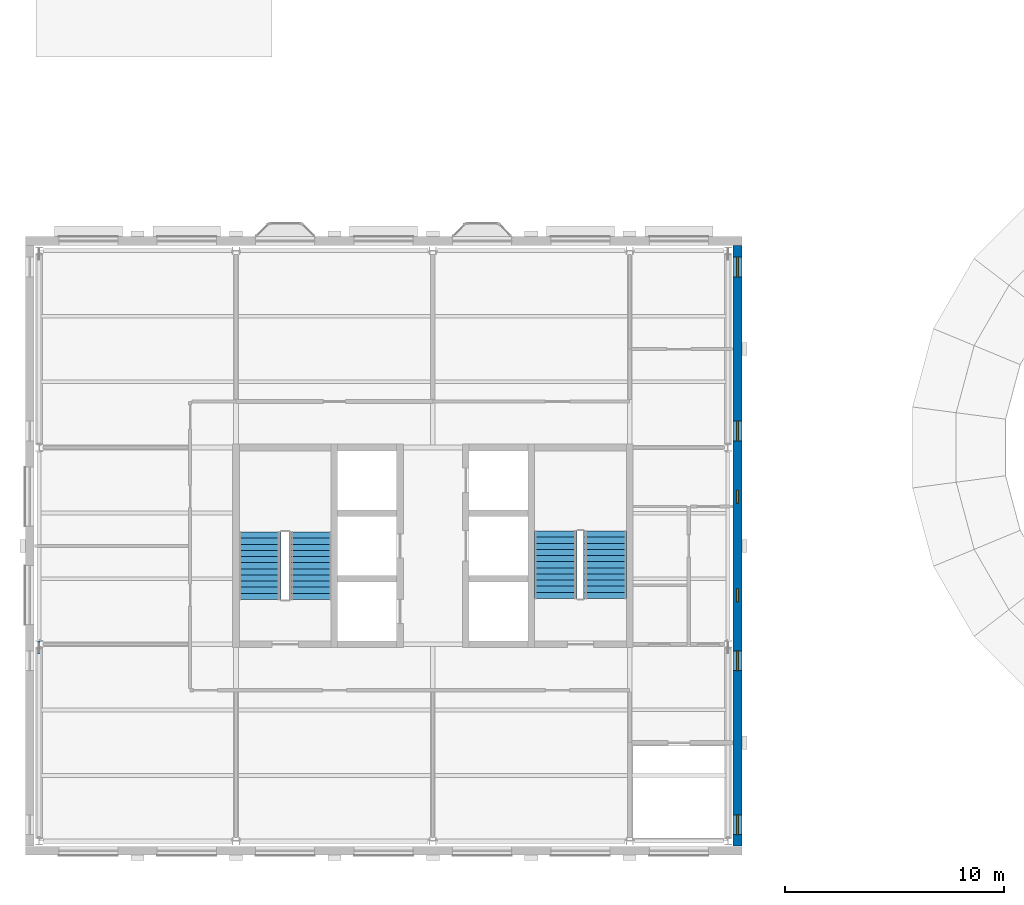
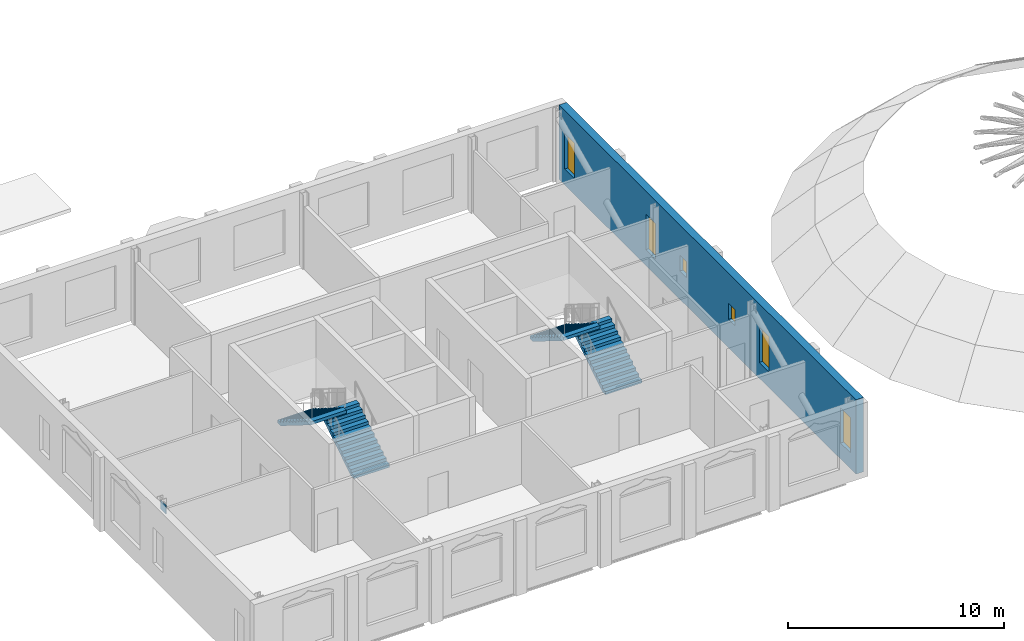
# One storey, part 10 of 15: 6 windows, 4 stair flights, 1 discrete accessory, 1 wall, 6 openings, 2 elements without a shape of their own.
"""IFC4 building model written with IfcOpenShell, lengths in metres."""

from ifc_helpers import new_model, si_unit, direction, frame, frame_2d, origin, origin_2d, place, context, subcontext, project, spatial, polyline, rectangle, outline, extrude, material, layer, layer_set, type_object, element, fill, aggregate, save


model = new_model("IFC4")

# Units and contexts
model_context = context("Model", 3, precision=1e-05, world=origin(), true_north=direction((0.0, 1.0)))
body_context = subcontext(model_context, "Body", "Model", "MODEL_VIEW")
ifc_project = project(units=[si_unit("LENGTHUNIT", "METRE"), si_unit("AREAUNIT", "SQUARE_METRE"), si_unit("VOLUMEUNIT", "CUBIC_METRE"), si_unit("PLANEANGLEUNIT", "RADIAN"), si_unit("MASSUNIT", "GRAM", prefix="KILO")], contexts=[model_context])

# Site, building, storey
site_placement = place(None, origin())
site = spatial("IfcSite", under=ifc_project, at=site_placement, CompositionType="ELEMENT")
building_placement = place(site_placement, origin())
building = spatial("IfcBuilding", under=site, at=building_placement, Name="Hortulan Conservatory and Botanical Research Centre", CompositionType="ELEMENT")
storey_placement = place(building_placement, frame((0.0, 0.0, 23.39990234375)))
storey = spatial("IfcBuildingStorey", under=building, at=storey_placement, Name="L05", CompositionType="ELEMENT", Elevation=23.39990234375)

# Wall, openings, windows
ifc_material_1 = material(Name="Faience-faced brickwork masonry", Category="masonry")
ifc_layer_1 = layer(ifc_material_1, 0.39990234375)
ifc_layer_set_1 = layer_set([ifc_layer_1], Name="Faience-faced Masonry Cavity Wall 400")
wall_type = type_object("IfcWallType", Name="Faience-faced Masonry Cavity Wall 400", PredefinedType="STANDARD", material=ifc_layer_set_1)
wall_placement = place(storey_placement, frame((31.925048828125, 27.22509765625, 0.0), z_axis=(0.0, 0.0, 1.0), x_axis=(0.0, -1.0, 0.0)))
wall = element("IfcWall", 1, at=wall_placement, inside=storey, type_object=wall_type, Name="E-EW-TW-L05-E4", PredefinedType="STANDARD", context=body_context, shape_type="SweptSolid", body=[
    extrude(rectangle(XDim=27.4501953125, YDim=0.39990234375, at=frame_2d((13.72509765625, 0.0))), origin(), (0.0, 0.0, 1.0), 4.2001953125),
])
opening_1_placement = place(wall_placement, frame((26.02490234375, 0.0, 0.89990234375)))
opening_1 = element("IfcOpeningElement", 2, at=opening_1_placement, cuts=wall, Name="Opening W5", PredefinedType="OPENING", context=body_context, shape_type="SweptSolid", body=[
    extrude(rectangle(XDim=0.89990234375, YDim=2.0, at=frame_2d((0.449951171875, 1.0))), frame((0.0, 0.2099609375, 0.0), z_axis=(0.0, -1.0, 0.0), x_axis=(1.0, 0.0, 0.0)), (0.0, 0.0, 1.0), 0.419921875),
])
opening_2_placement = place(wall_placement, frame((18.52490234375, 0.0, 0.89990234375)))
opening_2 = element("IfcOpeningElement", 3, at=opening_2_placement, cuts=wall, Name="Opening W5", PredefinedType="OPENING", context=body_context, shape_type="SweptSolid", body=[
    extrude(rectangle(XDim=0.89990234375, YDim=2.0, at=frame_2d((0.449951171875, 1.0))), frame((0.0, 0.2099609375, 0.0), z_axis=(0.0, -1.0, 0.0), x_axis=(1.0, 0.0, 0.0)), (0.0, 0.0, 1.0), 0.419921875),
])
opening_3_placement = place(wall_placement, frame((15.675048828125, 0.0, 1.60009765625)))
opening_3 = element("IfcOpeningElement", 4, at=opening_3_placement, cuts=wall, Name="Opening W3", PredefinedType="OPENING", context=body_context, shape_type="SweptSolid", body=[
    extrude(rectangle(XDim=0.60009765625, YDim=0.89990234375, at=frame_2d((0.300048828125, 0.449951171875))), frame((0.0, 0.2099609375, 0.0), z_axis=(0.0, -1.0, 0.0), x_axis=(1.0, 0.0, 0.0)), (0.0, 0.0, 1.0), 0.419921875),
])
opening_4_placement = place(wall_placement, frame((11.175048828125, 0.0, 1.60009765625)))
opening_4 = element("IfcOpeningElement", 5, at=opening_4_placement, cuts=wall, Name="Opening W3", PredefinedType="OPENING", context=body_context, shape_type="SweptSolid", body=[
    extrude(rectangle(XDim=0.60009765625, YDim=0.89990234375, at=frame_2d((0.300048828125, 0.449951171875))), frame((0.0, 0.2099609375, 0.0), z_axis=(0.0, -1.0, 0.0), x_axis=(1.0, 0.0, 0.0)), (0.0, 0.0, 1.0), 0.419921875),
])
opening_5_placement = place(wall_placement, frame((8.02490234375, 0.0, 0.89990234375)))
opening_5 = element("IfcOpeningElement", 6, at=opening_5_placement, cuts=wall, Name="Opening W5", PredefinedType="OPENING", context=body_context, shape_type="SweptSolid", body=[
    extrude(rectangle(XDim=0.89990234375, YDim=2.0, at=frame_2d((0.449951171875, 1.0))), frame((0.0, 0.2099609375, 0.0), z_axis=(0.0, -1.0, 0.0), x_axis=(1.0, 0.0, 0.0)), (0.0, 0.0, 1.0), 0.419921875),
])
opening_6_placement = place(wall_placement, frame((0.52490234375, 0.0, 0.89990234375)))
opening_6 = element("IfcOpeningElement", 7, at=opening_6_placement, cuts=wall, Name="Opening W5", PredefinedType="OPENING", context=body_context, shape_type="SweptSolid", body=[
    extrude(rectangle(XDim=0.89990234375, YDim=2.0, at=frame_2d((0.449951171875, 1.0))), frame((0.0, 0.2099609375, 0.0), z_axis=(0.0, -1.0, 0.0), x_axis=(1.0, 0.0, 0.0)), (0.0, 0.0, 1.0), 0.419921875),
])
ifc_material_2 = material(Name="Bronze-finished aluminium frame with low-e laminated double glazing", Category="aluminium")
window_type_1 = type_object("IfcWindowType", Name="Faience Pier Window 900x2000", PartitioningType="SINGLE_PANEL", PredefinedType="WINDOW", material=ifc_material_2)
window_1_placement = place(opening_1_placement, origin())
window_1 = element("IfcWindow", 8, at=window_1_placement, inside=storey, type_object=window_type_1, Name="Faience Pier window", OverallHeight=2.0, OverallWidth=0.89990234375, PartitioningType="SINGLE_PANEL", PredefinedType="WINDOW", context=body_context, shape_type="SweptSolid", body=[
    extrude(rectangle(XDim=0.89990234375, YDim=2.0, at=frame_2d((0.449951171875, 1.0))), frame((0.0, 0.030029296875, 0.0), z_axis=(0.0, -1.0, 0.0), x_axis=(1.0, 0.0, 0.0)), (0.0, 0.0, 1.0), 0.06005859375),
])
fill(opening_1, window_1)
window_2_placement = place(opening_2_placement, origin())
window_2 = element("IfcWindow", 9, at=window_2_placement, inside=storey, type_object=window_type_1, Name="Faience Pier window", OverallHeight=2.0, OverallWidth=0.89990234375, PartitioningType="SINGLE_PANEL", PredefinedType="WINDOW", context=body_context, shape_type="SweptSolid", body=[
    extrude(rectangle(XDim=0.89990234375, YDim=2.0, at=frame_2d((0.449951171875, 1.0))), frame((0.0, 0.030029296875, 0.0), z_axis=(0.0, -1.0, 0.0), x_axis=(1.0, 0.0, 0.0)), (0.0, 0.0, 1.0), 0.06005859375),
])
fill(opening_2, window_2)
window_3_placement = place(opening_5_placement, origin())
window_3 = element("IfcWindow", 10, at=window_3_placement, inside=storey, type_object=window_type_1, Name="Faience Pier window", OverallHeight=2.0, OverallWidth=0.89990234375, PartitioningType="SINGLE_PANEL", PredefinedType="WINDOW", context=body_context, shape_type="SweptSolid", body=[
    extrude(rectangle(XDim=0.89990234375, YDim=2.0, at=frame_2d((0.449951171875, 1.0))), frame((0.0, 0.030029296875, 0.0), z_axis=(0.0, -1.0, 0.0), x_axis=(1.0, 0.0, 0.0)), (0.0, 0.0, 1.0), 0.06005859375),
])
fill(opening_5, window_3)
window_4_placement = place(opening_6_placement, origin())
window_4 = element("IfcWindow", 11, at=window_4_placement, inside=storey, type_object=window_type_1, Name="Faience Pier window", OverallHeight=2.0, OverallWidth=0.89990234375, PartitioningType="SINGLE_PANEL", PredefinedType="WINDOW", context=body_context, shape_type="SweptSolid", body=[
    extrude(rectangle(XDim=0.89990234375, YDim=2.0, at=frame_2d((0.449951171875, 1.0))), frame((0.0, 0.030029296875, 0.0), z_axis=(0.0, -1.0, 0.0), x_axis=(1.0, 0.0, 0.0)), (0.0, 0.0, 1.0), 0.06005859375),
])
fill(opening_6, window_4)
window_type_2 = type_object("IfcWindowType", Name="Slot Window 600x900", PartitioningType="SINGLE_PANEL", PredefinedType="WINDOW", material=ifc_material_2)
window_5_placement = place(opening_3_placement, origin())
window_5 = element("IfcWindow", 12, at=window_5_placement, inside=storey, type_object=window_type_2, Name="Slot window", OverallHeight=0.89990234375, OverallWidth=0.60009765625, PartitioningType="SINGLE_PANEL", PredefinedType="WINDOW", context=body_context, shape_type="SweptSolid", body=[
    extrude(rectangle(XDim=0.60009765625, YDim=0.89990234375, at=frame_2d((0.300048828125, 0.449951171875))), frame((0.0, 0.030029296875, 0.0), z_axis=(0.0, -1.0, 0.0), x_axis=(1.0, 0.0, 0.0)), (0.0, 0.0, 1.0), 0.06005859375),
])
fill(opening_3, window_5)
window_6_placement = place(opening_4_placement, origin())
window_6 = element("IfcWindow", 13, at=window_6_placement, inside=storey, type_object=window_type_2, Name="Slot window", OverallHeight=0.89990234375, OverallWidth=0.60009765625, PartitioningType="SINGLE_PANEL", PredefinedType="WINDOW", context=body_context, shape_type="SweptSolid", body=[
    extrude(rectangle(XDim=0.60009765625, YDim=0.89990234375, at=frame_2d((0.300048828125, 0.449951171875))), frame((0.0, 0.030029296875, 0.0), z_axis=(0.0, -1.0, 0.0), x_axis=(1.0, 0.0, 0.0)), (0.0, 0.0, 1.0), 0.06005859375),
])
fill(opening_4, window_6)

# Stair, stair flights
ifc_material_3 = material(Name="Concrete N40 (40 MPa, AS 3600)", Category="concrete")
stair_type_1 = type_object("IfcStairType", Name="Concrete Escape Stair 1900", PredefinedType="HALF_TURN_STAIR", material=ifc_material_3)
stair_1_placement = place(storey_placement, origin())
stair_1 = element("IfcStair", 14, at=stair_1_placement, inside=storey, type_object=stair_type_1, Name="Stair T1 L05", PredefinedType="HALF_TURN_STAIR")
ifc_layer_2 = layer(ifc_material_3, 0.14990234375)
ifc_layer_set_2 = layer_set([ifc_layer_2], Name="Stair Flight 1900 wide, riser 175")
stair_flight_type_1 = type_object("IfcStairFlightType", Name="Stair Flight 1900 wide, riser 175", PredefinedType="STRAIGHT", material=ifc_layer_set_2)
stair_flight_1_placement = place(storey_placement, frame((12.39990234375, 11.050048828125, 0.0), z_axis=(0.0, 0.0, 1.0), x_axis=(0.0, 1.0, 0.0)))
stair_flight_1 = element("IfcStairFlight", 15, at=stair_flight_1_placement, type_object=stair_flight_type_1, Name="Stair T1 L05 flight 1", NumberOfRisers=12, NumberOfTreads=11, PredefinedType="STRAIGHT", RiserHeight=0.175, TreadLength=0.28, context=body_context, shape_type="SweptSolid", body=[
    extrude(outline(polyline([(0.0, 0.0), (0.0, 0.175048828125), (0.280029296875, 0.175048828125), (0.280029296875, 0.35009765625), (0.56005859375, 0.35009765625), (0.56005859375, 0.52490234375), (0.840087890625, 0.52490234375), (0.840087890625, 0.699951171875), (1.1201171875, 0.699951171875), (1.1201171875, 0.875), (1.39990234375, 0.875), (1.39990234375, 1.050048828125), (1.679931640625, 1.050048828125), (1.679931640625, 1.22509765625), (1.9599609375, 1.22509765625), (1.9599609375, 1.39990234375), (2.239990234375, 1.39990234375), (2.239990234375, 1.574951171875), (2.52001953125, 1.574951171875), (2.52001953125, 1.75), (2.800048828125, 1.75), (2.800048828125, 1.925048828125), (3.080078125, 1.925048828125), (3.080078125, 2.10009765625), (3.080078125, 1.748291015625), (0.28271484375, 0.0), (0.0, 0.0)])), frame((0.0, 0.949951171875, 0.0), z_axis=(0.0, -1.0, 0.0), x_axis=(1.0, 0.0, 0.0)), (0.0, 0.0, 1.0), 1.89990234375),
])
stair_flight_2_placement = place(storey_placement, frame((10.10009765625, 14.1298828125, 2.10009765625), z_axis=(0.0, 0.0, 1.0), x_axis=(0.0, -1.0, 0.0)))
stair_flight_2 = element("IfcStairFlight", 16, at=stair_flight_2_placement, type_object=stair_flight_type_1, Name="Stair T1 L05 flight 2", NumberOfRisers=12, NumberOfTreads=11, PredefinedType="STRAIGHT", RiserHeight=0.175, TreadLength=0.28, context=body_context, shape_type="SweptSolid", body=[
    extrude(outline(polyline([(0.0, 0.0), (0.0, 0.175048828125), (0.280029296875, 0.175048828125), (0.280029296875, 0.35009765625), (0.56005859375, 0.35009765625), (0.56005859375, 0.52490234375), (0.840087890625, 0.52490234375), (0.840087890625, 0.699951171875), (1.1201171875, 0.699951171875), (1.1201171875, 0.875), (1.39990234375, 0.875), (1.39990234375, 1.050048828125), (1.679931640625, 1.050048828125), (1.679931640625, 1.22509765625), (1.9599609375, 1.22509765625), (1.9599609375, 1.39990234375), (2.239990234375, 1.39990234375), (2.239990234375, 1.574951171875), (2.52001953125, 1.574951171875), (2.52001953125, 1.75), (2.800048828125, 1.75), (2.800048828125, 1.925048828125), (3.080078125, 1.925048828125), (3.080078125, 2.10009765625), (3.080078125, 1.748291015625), (0.28271484375, 0.0), (0.0, 0.0)])), frame((0.0, 0.949951171875, 0.0), z_axis=(0.0, -1.0, 0.0), x_axis=(1.0, 0.0, 0.0)), (0.0, 0.0, 1.0), 1.89990234375),
])
aggregate(stair_1, [stair_flight_1, stair_flight_2])

stair_type_2 = type_object("IfcStairType", Name="Concrete Escape Stair 1950", PredefinedType="HALF_TURN_STAIR", material=ifc_material_3)
stair_2_placement = place(storey_placement, origin())
stair_2 = element("IfcStair", 17, at=stair_2_placement, inside=storey, type_object=stair_type_2, Name="Stair T2 L05", PredefinedType="HALF_TURN_STAIR")
ifc_layer_3 = layer(ifc_material_3, 0.14990234375)
ifc_layer_set_3 = layer_set([ifc_layer_3], Name="Stair Flight 1950 wide, riser 175")
stair_flight_type_2 = type_object("IfcStairFlightType", Name="Stair Flight 1950 wide, riser 175", PredefinedType="STRAIGHT", material=ifc_layer_set_3)
stair_flight_3_placement = place(storey_placement, frame((25.875, 11.10009765625, 0.0), z_axis=(0.0, 0.0, 1.0), x_axis=(0.0, 1.0, 0.0)))
stair_flight_3 = element("IfcStairFlight", 18, at=stair_flight_3_placement, type_object=stair_flight_type_2, Name="Stair T2 L05 flight 1", NumberOfRisers=12, NumberOfTreads=11, PredefinedType="STRAIGHT", RiserHeight=0.175, TreadLength=0.28, context=body_context, shape_type="SweptSolid", body=[
    extrude(outline(polyline([(0.0, 0.0), (0.0, 0.175048828125), (0.280029296875, 0.175048828125), (0.280029296875, 0.35009765625), (0.56005859375, 0.35009765625), (0.56005859375, 0.52490234375), (0.840087890625, 0.52490234375), (0.840087890625, 0.699951171875), (1.1201171875, 0.699951171875), (1.1201171875, 0.875), (1.39990234375, 0.875), (1.39990234375, 1.050048828125), (1.679931640625, 1.050048828125), (1.679931640625, 1.22509765625), (1.9599609375, 1.22509765625), (1.9599609375, 1.39990234375), (2.239990234375, 1.39990234375), (2.239990234375, 1.574951171875), (2.52001953125, 1.574951171875), (2.52001953125, 1.75), (2.800048828125, 1.75), (2.800048828125, 1.925048828125), (3.080078125, 1.925048828125), (3.080078125, 2.10009765625), (3.080078125, 1.748291015625), (0.28271484375, 0.0), (0.0, 0.0)])), frame((0.0, 0.97509765625, 0.0), z_axis=(0.0, -1.0, 0.0), x_axis=(1.0, 0.0, 0.0)), (0.0, 0.0, 1.0), 1.949951171875),
])
stair_flight_4_placement = place(storey_placement, frame((23.625, 14.179931640625, 2.10009765625), z_axis=(0.0, 0.0, 1.0), x_axis=(0.0, -1.0, 0.0)))
stair_flight_4 = element("IfcStairFlight", 19, at=stair_flight_4_placement, type_object=stair_flight_type_2, Name="Stair T2 L05 flight 2", NumberOfRisers=12, NumberOfTreads=11, PredefinedType="STRAIGHT", RiserHeight=0.175, TreadLength=0.28, context=body_context, shape_type="SweptSolid", body=[
    extrude(outline(polyline([(0.0, 0.0), (0.0, 0.175048828125), (0.280029296875, 0.175048828125), (0.280029296875, 0.35009765625), (0.56005859375, 0.35009765625), (0.56005859375, 0.52490234375), (0.840087890625, 0.52490234375), (0.840087890625, 0.699951171875), (1.1201171875, 0.699951171875), (1.1201171875, 0.875), (1.39990234375, 0.875), (1.39990234375, 1.050048828125), (1.679931640625, 1.050048828125), (1.679931640625, 1.22509765625), (1.9599609375, 1.22509765625), (1.9599609375, 1.39990234375), (2.239990234375, 1.39990234375), (2.239990234375, 1.574951171875), (2.52001953125, 1.574951171875), (2.52001953125, 1.75), (2.800048828125, 1.75), (2.800048828125, 1.925048828125), (3.080078125, 1.925048828125), (3.080078125, 2.10009765625), (3.080078125, 1.748291015625), (0.28271484375, 0.0), (0.0, 0.0)])), frame((0.0, 0.97509765625, 0.0), z_axis=(0.0, -1.0, 0.0), x_axis=(1.0, 0.0, 0.0)), (0.0, 0.0, 1.0), 1.949951171875),
])
aggregate(stair_2, [stair_flight_3, stair_flight_4])

# Discrete accessory
ifc_material_4 = material(Name="Steel Grade 300 plate (AS/NZS 3678, 280 MPa minimum yield)", Category="steel")
discrete_accessory_type = type_object("IfcDiscreteAccessoryType", Name="End Plate 500x20", PredefinedType="BRACKET", material=ifc_material_4)
discrete_accessory_placement = place(storey_placement, frame((0.0, 8.83642578125, 3.513916015625), z_axis=(0.0, 0.0, 1.0), x_axis=(0.0, -1.0, 0.0)))
element("IfcDiscreteAccessory", 20, at=discrete_accessory_placement, inside=storey, type_object=discrete_accessory_type, Name="Brace end plate", PredefinedType="BRACKET", context=body_context, shape_type="SweptSolid", body=[
    extrude(rectangle(XDim=0.5, YDim=0.02001953125, at=origin_2d()), origin(), (0.0, 0.0, 1.0), 0.5),
])

save(model, "model.ifc")
